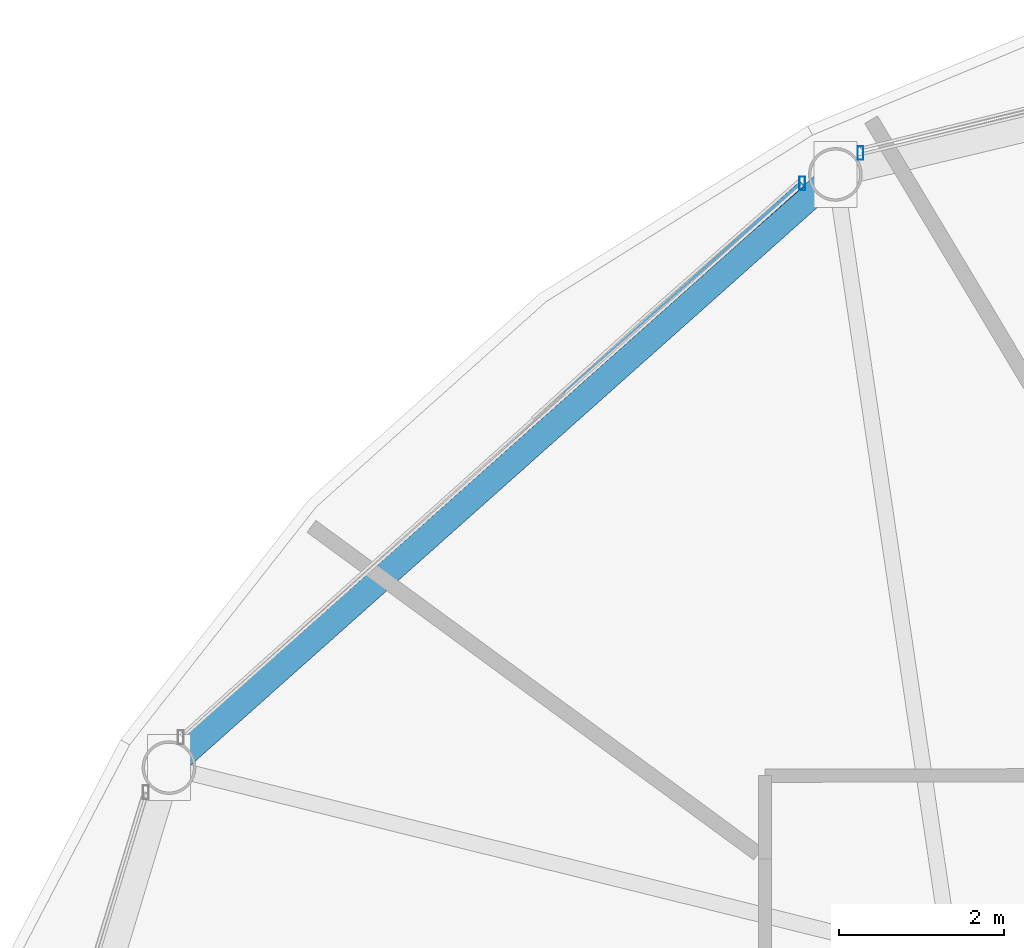
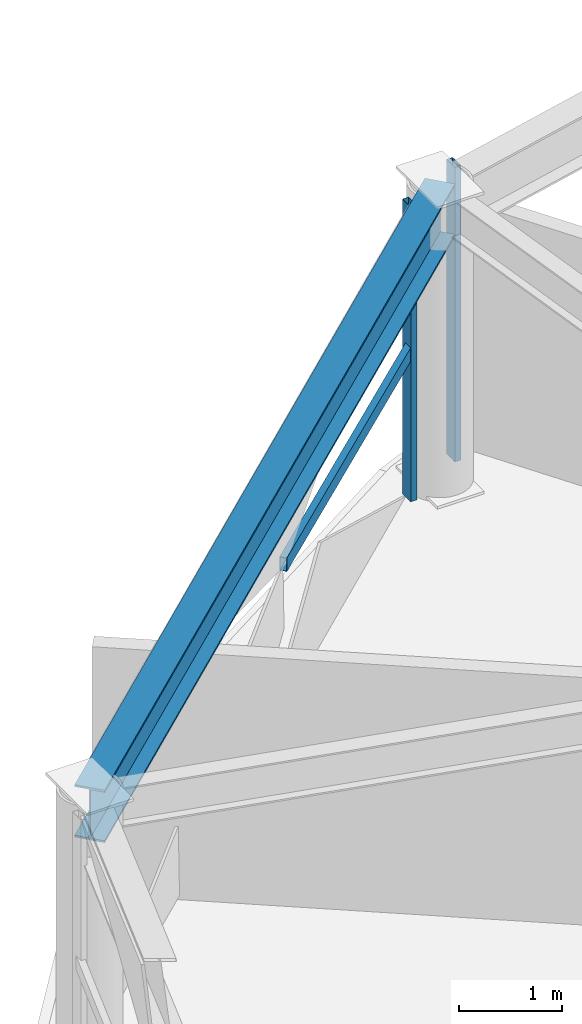
# One storey, part 16 of 28: 3 members, 1 beam, 2 elements without a shape of their own.
"""IFC4 building model written with IfcOpenShell, lengths in metres."""

from ifc_helpers import new_model, si_unit, direction, frame, origin, origin_2d, place, context, subcontext, project, spatial, hollow_rectangle, i_section, extrude, material, layer, layer_set, material_profile, profile_set, type_object, element, aggregate, save


model = new_model("IFC4")

# Units and contexts
model_context = context("Model", 3, precision=1e-05, world=origin(), true_north=direction((0.0, 1.0)))
body_context = subcontext(model_context, "Body", "Model", "MODEL_VIEW")
ifc_project = project(units=[si_unit("LENGTHUNIT", "METRE"), si_unit("AREAUNIT", "SQUARE_METRE"), si_unit("VOLUMEUNIT", "CUBIC_METRE"), si_unit("PLANEANGLEUNIT", "RADIAN"), si_unit("MASSUNIT", "GRAM", prefix="KILO")], contexts=[model_context])

# Site, building, storey
site_placement = place(None, origin())
site = spatial("IfcSite", under=ifc_project, at=site_placement, CompositionType="ELEMENT")
building_placement = place(site_placement, origin())
building = spatial("IfcBuilding", under=site, at=building_placement, Name="Vantalir Tower", CompositionType="ELEMENT")
storey_placement = place(building_placement, frame((0.0, 0.0, 223.64990234375)))
storey = spatial("IfcBuildingStorey", under=building, at=storey_placement, Name="L56", CompositionType="ELEMENT", Elevation=223.64990234375)

# Beam
ifc_material_1 = material(Name="Steel S460", Category="steel")
ifc_material_profile_1 = material_profile(ifc_material_1, i_section(OverallWidth=0.306884765625, OverallDepth=0.6201171875, WebThickness=0.01416015625, FlangeThickness=0.023681640625, at=origin_2d()), Name="Steel S460")
ifc_profile_set_1 = profile_set([ifc_material_profile_1], Name="Steel S460")
beam_type = type_object("IfcBeamType", Name="BM-RG-610x305", PredefinedType="USERDEFINED", material=ifc_profile_set_1)
beam_placement = place(storey_placement, frame((20.493896484375, 41.970947265625, 3.260009765625), z_axis=(-0.746934658409, -0.664897447782, 0.0), x_axis=(0.664897447782, -0.746934658409, 0.0)))
element("IfcBeam", 1, at=beam_placement, inside=storey, type_object=beam_type, Name="L56 Circumferential Ring Girder 05", ObjectType="GIRDER", PredefinedType="USERDEFINED", context=body_context, shape_type="SweptSolid", body=[
    extrude(i_section(OverallWidth=0.306884765625, OverallDepth=0.6201171875, WebThickness=0.01416015625, FlangeThickness=0.023681640625, at=origin_2d()), origin(), (0.0, 0.0, 1.0), 10.787841796875),
])

# Curtain wall, member
ifc_material_2 = material(Name="Champagne-silver PVDF aluminium and double-silver Low-E glass", Category="aluminium")
ifc_layer = layer(ifc_material_2, 0.2099609375)
ifc_layer_set = layer_set([ifc_layer], Name="Champagne-silver PVDF aluminium and double-silver Low-E glass")
curtain_wall_type = type_object("IfcCurtainWallType", Name="CW-DIAMOND-Z3", PredefinedType="USERDEFINED", material=ifc_layer_set)
curtain_wall_1_placement = place(storey_placement, origin())
curtain_wall_1 = element("IfcCurtainWall", 2, at=curtain_wall_1_placement, inside=storey, type_object=curtain_wall_type, Name="L56 Quilted Pyramid-Diamond Curtain Wall S04", ObjectType="UNITISED CURTAIN WALL", PredefinedType="USERDEFINED")
ifc_material_3 = material(Name="Champagne-silver PVDF aluminium 6063-T6", Category="aluminium")
ifc_material_profile_2 = material_profile(ifc_material_3, hollow_rectangle(XDim=0.070068359375, YDim=0.1650390625, WallThickness=0.00390625, at=origin_2d()), Name="Champagne-silver PVDF aluminium 6063-T6")
ifc_profile_set_2 = profile_set([ifc_material_profile_2], Name="Champagne-silver PVDF aluminium 6063-T6")
member_type_1 = type_object("IfcMemberType", Name="CWM-165x70", PredefinedType="MULLION", material=ifc_profile_set_2)
member_1_placement = place(storey_placement, frame((20.798095703125, 42.22998046875, 0.045166015625), z_axis=(0.0, 0.0, 1.0), x_axis=(1.0, 0.0, 0.0)))
member_1 = element("IfcMember", 3, at=member_1_placement, type_object=member_type_1, Name="CW-L56-S04 Mullion 2", PredefinedType="MULLION", context=body_context, shape_type="SweptSolid", body=[
    extrude(hollow_rectangle(XDim=0.070068359375, YDim=0.1650390625, WallThickness=0.00390625, at=origin_2d()), origin(), (0.0, 0.0, 1.0), 3.47998046875),
])
aggregate(curtain_wall_1, [member_1])

# Curtain wall, members
curtain_wall_2_placement = place(storey_placement, origin())
curtain_wall_2 = element("IfcCurtainWall", 4, at=curtain_wall_2_placement, inside=storey, type_object=curtain_wall_type, Name="L56 Quilted Pyramid-Diamond Curtain Wall S05", ObjectType="UNITISED CURTAIN WALL", PredefinedType="USERDEFINED")
member_2_placement = place(storey_placement, frame((20.093017578125, 41.862060546875, 0.045166015625), z_axis=(0.0, 0.0, 1.0), x_axis=(1.0, 0.0, 0.0)))
member_2 = element("IfcMember", 5, at=member_2_placement, type_object=member_type_1, Name="CW-L56-S05 Mullion 1", PredefinedType="MULLION", context=body_context, shape_type="SweptSolid", body=[
    extrude(hollow_rectangle(XDim=0.070068359375, YDim=0.1650390625, WallThickness=0.00390625, at=origin_2d()), origin(), (0.0, 0.0, 1.0), 3.47998046875),
])
ifc_material_profile_3 = material_profile(ifc_material_3, hollow_rectangle(XDim=0.074951171875, YDim=0.159912109375, WallThickness=0.00390625, at=origin_2d()), Name="Champagne-silver PVDF aluminium 6063-T6")
ifc_profile_set_3 = profile_set([ifc_material_profile_3], Name="Champagne-silver PVDF aluminium 6063-T6")
member_type_2 = type_object("IfcMemberType", Name="CWT-160x75", PredefinedType="USERDEFINED", material=ifc_profile_set_3)
member_3_placement = place(storey_placement, frame((20.093017578125, 41.862060546875, 1.78515625), z_axis=(-0.750866653682, -0.660453835168, 0.0), x_axis=(0.660453835168, -0.750866653682, 0.0)))
member_3 = element("IfcMember", 6, at=member_3_placement, type_object=member_type_2, Name="CW-L56-S05 Pyramid Fold Ridge Transom", ObjectType="TRANSOM", PredefinedType="USERDEFINED", context=body_context, shape_type="SweptSolid", body=[
    extrude(hollow_rectangle(XDim=0.074951171875, YDim=0.159912109375, WallThickness=0.00390625, at=origin_2d()), origin(), (0.0, 0.0, 1.0), 3.826416015625),
])
aggregate(curtain_wall_2, [member_2, member_3])

save(model, "model.ifc")
